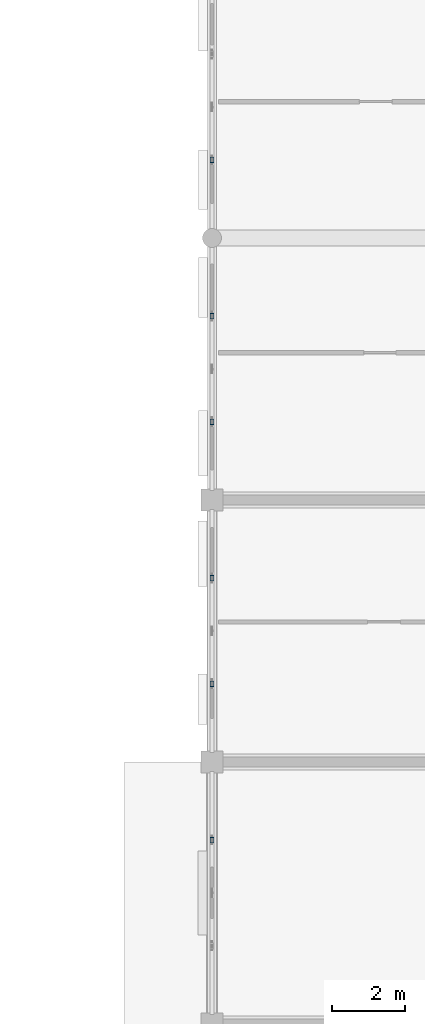
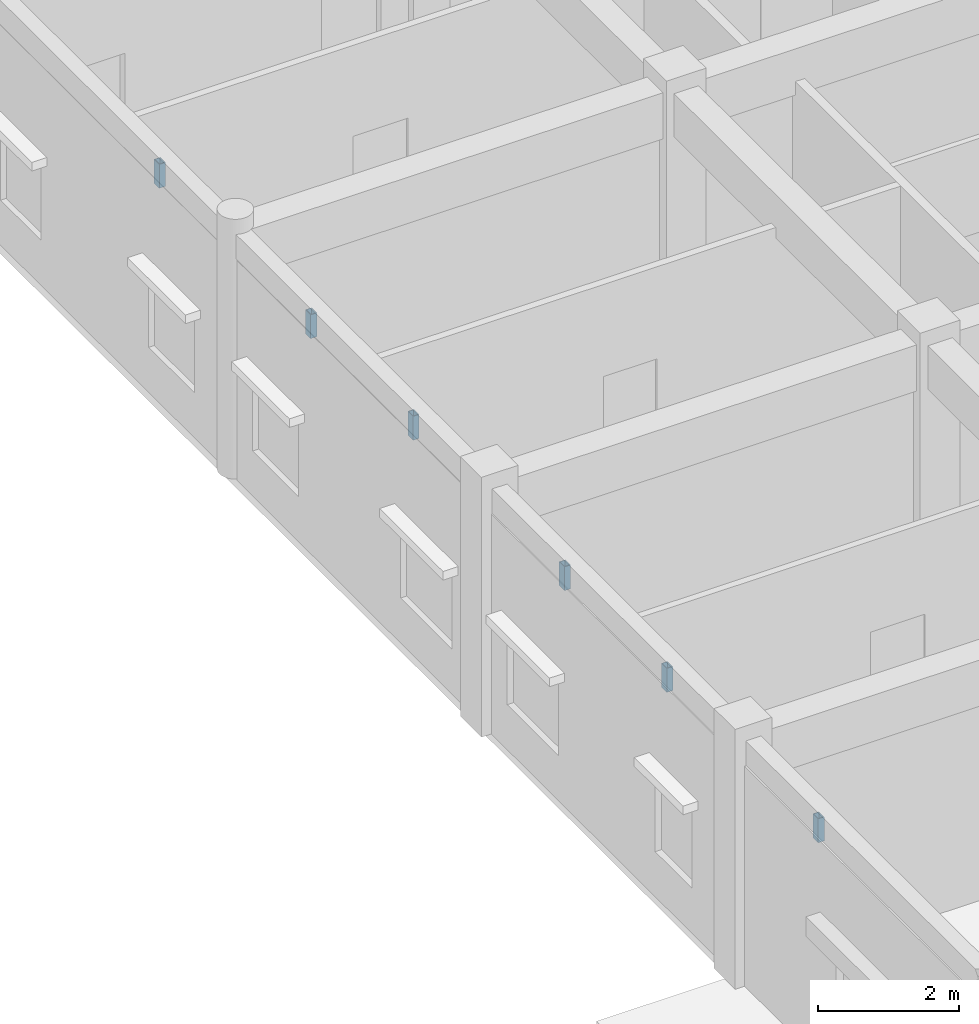
# One storey, part 52 of 138: 6 members.
"""IFC4 building model written with IfcOpenShell, lengths in metres."""

from ifc_helpers import new_model, si_unit, direction, frame, origin, origin_2d, place, context, subcontext, project, spatial, hollow_rectangle, extrude, material, material_profile, profile_set, type_object, element, save


model = new_model("IFC4")

# Units and contexts
model_context = context("Model", 3, precision=1e-05, world=origin(), true_north=direction((0.0, 1.0)))
body_context = subcontext(model_context, "Body", "Model", "MODEL_VIEW")
ifc_project = project(units=[si_unit("LENGTHUNIT", "METRE"), si_unit("AREAUNIT", "SQUARE_METRE"), si_unit("VOLUMEUNIT", "CUBIC_METRE"), si_unit("PLANEANGLEUNIT", "RADIAN"), si_unit("MASSUNIT", "GRAM", prefix="KILO"), si_unit("THERMODYNAMICTEMPERATUREUNIT", "KELVIN"), si_unit("POWERUNIT", "WATT")], contexts=[model_context])

# Site, building, storey
site_placement = place(None, origin())
site = spatial("IfcSite", under=ifc_project, at=site_placement, CompositionType="ELEMENT")
building_placement = place(site_placement, origin())
building = spatial("IfcBuilding", under=site, at=building_placement, Name="Tavuni Mirador Residences", CompositionType="ELEMENT")
storey_placement = place(building_placement, origin())
storey = spatial("IfcBuildingStorey", under=building, at=storey_placement, Name="L00", CompositionType="ELEMENT", Elevation=0.0)

# Members
ifc_material = material(Name="Structural steel S355", Category="steel")
ifc_material_profile = material_profile(ifc_material, hollow_rectangle(XDim=0.10009765625, YDim=0.14990234375, WallThickness=0.008056640625, at=origin_2d()), Name="RHS 150x100x8.0", Category="steel")
ifc_profile_set = profile_set([ifc_material_profile], Name="Structural steel S355")
member_type = type_object("IfcMemberType", Name="MT-BR-RHS150", PredefinedType="BRACE", material=ifc_profile_set)
for number, where, z_axis, x_axis, name in (
    (1, (90.0, 113.052001953125, 3.615478515625), (0.0, 0.0, 1.0), (1.0, 0.0, 0.0), "ARCH-BLKD-W-03-V2"),
    (2, (90.0, 117.347900390625, 3.615478515625), (0.0, 0.0, 1.0), (1.0, 0.0, 0.0), "ARCH-BLKD-W-04-V1"),
    (3, (90.0, 120.251953125, 3.615478515625), (0.0, 0.0, 1.0), (1.0, 0.0, 0.0), "ARCH-BLKD-W-04-V2"),
    (4, (90.0, 124.548095703125, 3.615478515625), (0.0, 0.0, 1.0), (1.0, 0.0, 0.0), "ARCH-BLKD-W-05-V1"),
    (5, (90.0, 127.451904296875, 3.615478515625), (0.0, 0.0, 1.0), (1.0, 0.0, 0.0), "ARCH-BLKD-W-05-V2"),
    (6, (90.0, 131.748046875, 3.615478515625), (0.0, 0.0, 1.0), (1.0, 0.0, 0.0), "ARCH-BLKD-W-06-V1"),
):
    element("IfcMember", number, at=place(storey_placement, frame(where, z_axis=z_axis, x_axis=x_axis)), inside=storey, type_object=member_type, Name=name, PredefinedType="BRACE", context=body_context, shape_type="SweptSolid", body=[
        extrude(hollow_rectangle(XDim=0.10009765625, YDim=0.14990234375, WallThickness=0.008056640625, at=origin_2d()), origin(), (0.0, 0.0, 1.0), 0.41455078125),
    ])

save(model, "model.ifc")
